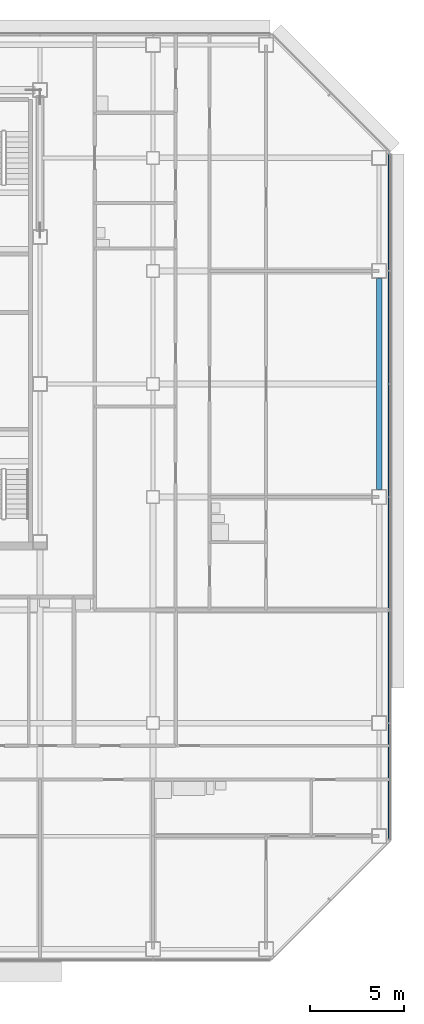
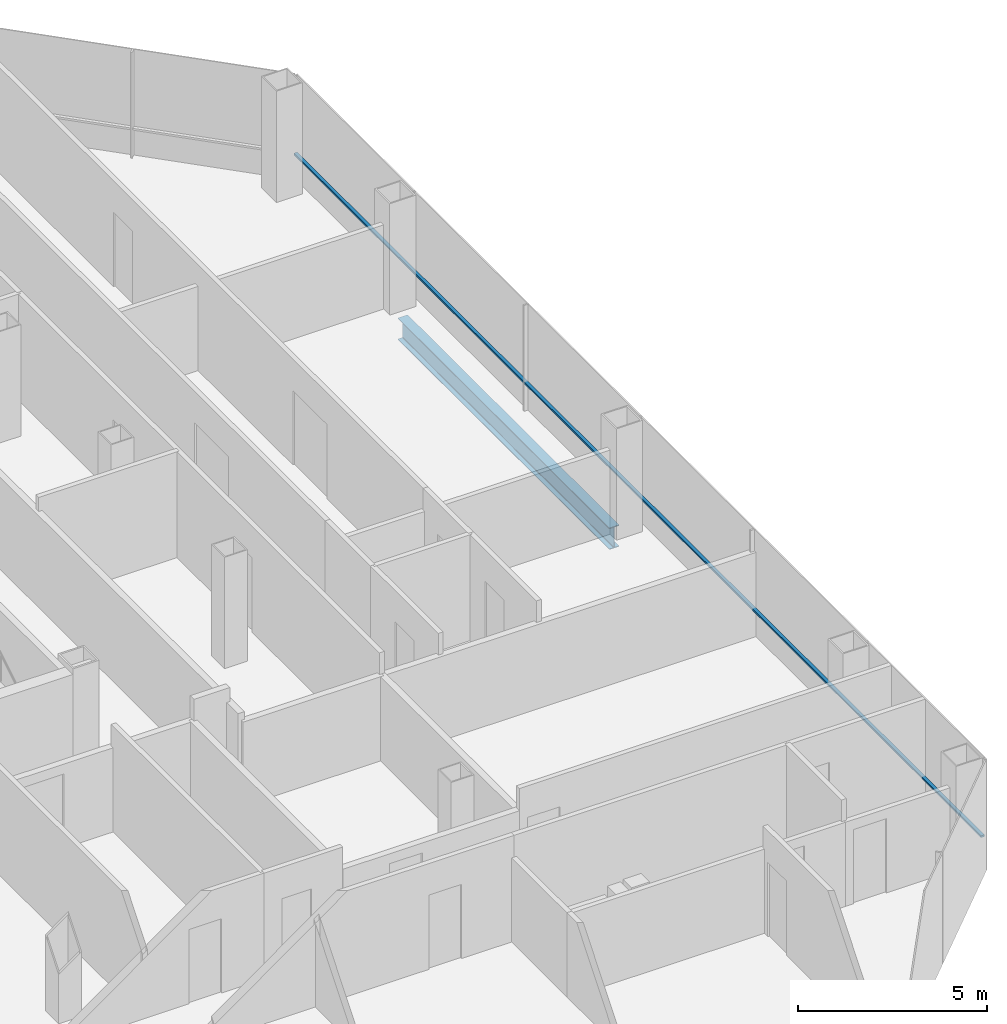
# One storey, part 16 of 25: 1 beam, 1 member, 1 element without a shape of its own.
"""IFC4 building model written with IfcOpenShell, lengths in metres."""

import ifcopenshell
import ifcopenshell.guid

model = None  # the IFC model being written
_history = None  # IfcOwnerHistory: only IFC2X3 demands one
_inside = {}  # id of a spatial element -> (the spatial element, [elements in it])
_under = {}  # id of a project, library or spatial element -> (it, [spatial elements below it])
_declared = {}  # id of a project -> (the project, [libraries it declares])
_typed = {}  # id of a type object -> (the type object, [elements of that type])
_made_of = {}  # id of a material, layer set ... -> (it, [elements and type objects made of it])


def new_model(schema):
    """Start an empty IFC model of exactly this schema.

    Asked for "IFC4X3", IfcOpenShell would pick the latest addendum, in which some entities
    have other attributes; the version numbers below select the first issue.
    IFC2X3 requires an IfcOwnerHistory on every rooted entity: one is made here for all.
    """
    global model, _history
    if schema == "IFC4X3":
        model = ifcopenshell.file(schema_version=(4, 3, 0, 0))
    else:
        model = ifcopenshell.file(schema=schema)
    _inside.clear()
    _under.clear()
    _declared.clear()
    _typed.clear()
    _made_of.clear()
    _history = None
    if model.schema == "IFC2X3":
        org = make("IfcOrganization", Name="unknown")
        user = make(
            "IfcPersonAndOrganization",
            ThePerson=make("IfcPerson", FamilyName="unknown"),
            TheOrganization=org,
        )
        app = make(
            "IfcApplication",
            ApplicationDeveloper=org,
            Version="unknown",
            ApplicationFullName="unknown",
            ApplicationIdentifier="unknown",
        )
        _history = make(
            "IfcOwnerHistory",
            OwningUser=user,
            OwningApplication=app,
            ChangeAction="ADDED",
            CreationDate=0,
        )
    return model


def make(cls, **values):
    """One entity of the class cls with the attributes given. An attribute that is None is left unset."""
    return model.create_entity(
        cls, **{name: value for name, value in values.items() if value is not None}
    )


def rooted(cls, **values):
    """An entity with a GlobalId (a new one), such as an element, a storey or a relation."""
    return make(cls, GlobalId=ifcopenshell.guid.new(), OwnerHistory=_history, **values)


def si_unit(unit_type, name, prefix=None):
    """IfcSIUnit, for example si_unit("LENGTHUNIT", "METRE", prefix="MILLI")."""
    return make("IfcSIUnit", UnitType=unit_type, Prefix=prefix, Name=name)


def assignment(units):
    """IfcUnitAssignment: the units of a project."""
    return None if units is None else make("IfcUnitAssignment", Units=units)


def point(xyz):
    """IfcCartesianPoint."""
    return None if xyz is None else make("IfcCartesianPoint", Coordinates=xyz)


def direction(xyz):
    """IfcDirection."""
    return None if xyz is None else make("IfcDirection", DirectionRatios=xyz)


def frame(location, z_axis=None, x_axis=None):
    """IfcAxis2Placement3D, a coordinate frame: its origin and axes. An axis left out is left unset."""
    return make(
        "IfcAxis2Placement3D",
        Location=point(location),
        Axis=direction(z_axis),
        RefDirection=direction(x_axis),
    )


def frame_2d(location, x_axis=None):
    """IfcAxis2Placement2D, a coordinate frame in the plane: its origin and x axis."""
    return make(
        "IfcAxis2Placement2D", Location=point(location), RefDirection=direction(x_axis)
    )


def origin():
    """The frame at (0, 0, 0) with its axes left unset."""
    return frame((0.0, 0.0, 0.0))


def origin_2d():
    """The frame at (0, 0) in the plane with its x axis left unset."""
    return frame_2d((0.0, 0.0))


def place(relative_to, where):
    """IfcLocalPlacement: puts the frame where relative to a parent placement (None: the world)."""
    return make(
        "IfcLocalPlacement", PlacementRelTo=relative_to, RelativePlacement=where
    )


def context(
    kind, dimensions, precision=None, world=None, true_north=None, identifier=None
):
    """IfcGeometricRepresentationContext, for example the 3D "Model" context."""
    return make(
        "IfcGeometricRepresentationContext",
        ContextIdentifier=identifier,
        ContextType=kind,
        CoordinateSpaceDimension=dimensions,
        Precision=precision,
        WorldCoordinateSystem=world,
        TrueNorth=true_north,
    )


def subcontext(parent, identifier, kind, view, scale=None):
    """IfcGeometricRepresentationSubContext, for example "Body" below "Model"."""
    return make(
        "IfcGeometricRepresentationSubContext",
        ContextIdentifier=identifier,
        ContextType=kind,
        ParentContext=parent,
        TargetScale=scale,
        TargetView=view,
    )


def project(units=None, contexts=None):
    """IfcProject with its units and contexts."""
    return rooted(
        "IfcProject",
        Name="project",
        RepresentationContexts=contexts,
        UnitsInContext=assignment(units),
    )


def spatial(cls, under=None, at=None, **own):
    """A site, building, storey or space (cls), placed at a placement, below another one or the project."""
    s = rooted(cls, ObjectPlacement=at, **own)
    if under is not None:
        _under.setdefault(under.id(), (under, []))[1].append(s)
    return s


def profile(cls, at=None, kind="AREA", **sizes):
    """A parametric profile (cls). Its sizes go by their IFC names, for example OverallWidth=200.0."""
    return make(cls, ProfileType=kind, Position=at, **sizes)


def rectangle(**sizes):
    """IfcRectangleProfileDef."""
    return profile("IfcRectangleProfileDef", **sizes)


def i_section(**sizes):
    """IfcIShapeProfileDef."""
    return profile("IfcIShapeProfileDef", **sizes)


def extrude(swept, where, along, depth):
    """IfcExtrudedAreaSolid: the profile swept, set in the frame where, extruded along a direction by depth."""
    return make(
        "IfcExtrudedAreaSolid",
        SweptArea=swept,
        Position=where,
        ExtrudedDirection=direction(along),
        Depth=depth,
    )


def shape(context_of_items, identifier, shape_type, items):
    """IfcShapeRepresentation: the items that make up one representation, for example the "Body"."""
    return make(
        "IfcShapeRepresentation",
        ContextOfItems=context_of_items,
        RepresentationIdentifier=identifier,
        RepresentationType=shape_type,
        Items=items,
    )


def material(Name=None, Category=None):
    """IfcMaterial."""
    return make("IfcMaterial", Name=Name, Category=Category)


def material_profile(
    of_material, cross_section, Name=None, Category=None, Priority=None
):
    """IfcMaterialProfile: a cross section and its material."""
    return make(
        "IfcMaterialProfile",
        Name=Name,
        Material=of_material,
        Profile=cross_section,
        Priority=Priority,
        Category=Category,
    )


def profile_set(profiles, Name=None, composite=None):
    """IfcMaterialProfileSet."""
    return make(
        "IfcMaterialProfileSet",
        Name=Name,
        MaterialProfiles=profiles,
        CompositeProfile=composite,
    )


def made_of(thing, what):
    """Note that an element or type object is made of a material, layer set ...; save() writes the relation."""
    if what is not None:
        _made_of.setdefault(what.id(), (what, []))[1].append(thing)
    return thing


def type_object(cls, material=None, **own):
    """A type object (cls), such as IfcWallType, which elements share."""
    return made_of(rooted(cls, **own), material)


def element(
    cls,
    number,
    at=None,
    inside=None,
    cuts=None,
    type_object=None,
    material=None,
    context=None,
    identifier="Body",
    shape_type=None,
    held_by="IfcProductDefinitionShape",
    body=None,
    shapes=None,
    **own,
):
    """One element of the class cls, such as IfcWall. Its Tag is "e" and its number.

    at: its placement. inside: the storey or other place that contains it. cuts: it is an
    opening in that element (IfcRelVoidsElement). A single representation is given by context,
    identifier, shape_type and body (its items); several are given by shapes. held_by: the class
    of the entity that holds the representations. save() writes the other relations.
    """
    e = rooted(cls, Tag="e%d" % number, ObjectPlacement=at, **own)
    if body is not None:
        shapes = [shape(context, identifier, shape_type, body)]
    if shapes is not None:
        e.Representation = make(held_by, Representations=shapes)
    if inside is not None:
        _inside.setdefault(inside.id(), (inside, []))[1].append(e)
    if cuts is not None:
        rooted(
            "IfcRelVoidsElement", RelatingBuildingElement=cuts, RelatedOpeningElement=e
        )
    if type_object is not None:
        _typed.setdefault(type_object.id(), (type_object, []))[1].append(e)
    return made_of(e, material)


def aggregate(whole, parts):
    """IfcRelAggregates: a whole, such as a stair, and the parts it consists of."""
    return rooted("IfcRelAggregates", RelatingObject=whole, RelatedObjects=parts)


def save(model, path):
    """Write the relations noted so far, then the file.

    IfcRelAggregates (storeys below a building ...), IfcRelContainedInSpatialStructure (elements
    in a storey), IfcRelDefinesByType, IfcRelAssociatesMaterial and IfcRelDeclares: one each for
    every whole, place, type object, material and project.
    """
    for whole, parts in _under.values():
        aggregate(whole, parts)
    for where, things in _inside.values():
        rooted(
            "IfcRelContainedInSpatialStructure",
            RelatedElements=things,
            RelatingStructure=where,
        )
    for kind, things in _typed.values():
        rooted("IfcRelDefinesByType", RelatedObjects=things, RelatingType=kind)
    for what, things in _made_of.values():
        rooted("IfcRelAssociatesMaterial", RelatedObjects=things, RelatingMaterial=what)
    for by, libraries in _declared.values():
        rooted("IfcRelDeclares", RelatingContext=by, RelatedDefinitions=libraries)
    model.write(path)


model = new_model("IFC4")

# Units and contexts
model_context = context("Model", 3, precision=1e-05, world=origin(), true_north=direction((0.0, 1.0)))
body_context = subcontext(model_context, "Body", "Model", "MODEL_VIEW")
ifc_project = project(units=[si_unit("LENGTHUNIT", "METRE"), si_unit("AREAUNIT", "SQUARE_METRE"), si_unit("VOLUMEUNIT", "CUBIC_METRE"), si_unit("PLANEANGLEUNIT", "RADIAN"), si_unit("MASSUNIT", "GRAM", prefix="KILO")], contexts=[model_context])

# Site, building, storey
site_placement = place(None, origin())
site = spatial("IfcSite", under=ifc_project, at=site_placement, CompositionType="ELEMENT")
building_placement = place(site_placement, origin())
building = spatial("IfcBuilding", under=site, at=building_placement, Name="Sorahane Residences", CompositionType="ELEMENT")
storey_placement = place(building_placement, frame((0.0, 0.0, 130.39990234375)))
storey = spatial("IfcBuildingStorey", under=building, at=storey_placement, Name="L29", CompositionType="ELEMENT", Elevation=130.39990234375)

# Curtain wall, member
ifc_material_1 = material(Name="Dark low-e glass and black anodised aluminium", Category="aluminium")
curtain_wall_type = type_object("IfcCurtainWallType", Name="Curtain wall CW-1 Typical unitised wall", PredefinedType="NOTDEFINED", material=ifc_material_1)
curtain_wall_placement = place(storey_placement, origin())
curtain_wall = element("IfcCurtainWall", 1, at=curtain_wall_placement, inside=storey, type_object=curtain_wall_type, Name="CW-1 curtain wall L29 E1", PredefinedType="NOTDEFINED")
ifc_material_2 = material(Name="Black anodised aluminium", Category="aluminium")
ifc_material_profile_1 = material_profile(ifc_material_2, rectangle(XDim=0.10009765625, YDim=0.06005859375, at=origin_2d()), Name="Curtain wall transom CW-1 black anodised aluminium 60x100")
ifc_profile_set_1 = profile_set([ifc_material_profile_1], Name="Black anodised aluminium")
member_type = type_object("IfcMemberType", Name="Curtain wall transom CW-1 black anodised aluminium 60x100", PredefinedType="USERDEFINED", material=ifc_profile_set_1)
member_placement = place(storey_placement, frame((60.530029296875, 5.801513671875, 0.900146484375), z_axis=(0.0, 1.0, 0.0), x_axis=(-1.0, 0.0, 0.0)))
member = element("IfcMember", 2, at=member_placement, type_object=member_type, Name="CW-1 transom L29 E1", ObjectType="TRANSOM", PredefinedType="USERDEFINED", context=body_context, shape_type="SweptSolid", body=[
    extrude(rectangle(XDim=0.10009765625, YDim=0.06005859375, at=origin_2d()), origin(), (0.0, 0.0, 1.0), 36.39697265625),
])
aggregate(curtain_wall, [member])

# Beam
ifc_material_3 = material(Name="Steel Q355B", Category="steel")
ifc_material_profile_2 = material_profile(ifc_material_3, i_section(OverallWidth=0.300048828125, OverallDepth=0.699951171875, WebThickness=0.012939453125, FlangeThickness=0.02392578125, FilletRadius=0.028076171875, at=origin_2d()), Name="HN 700x300x13x24")
ifc_profile_set_2 = profile_set([ifc_material_profile_2], Name="Steel Q355B")
beam_type = type_object("IfcBeamType", Name="Steel floor beam HN 700x300x13x24 Q355B", PredefinedType="BEAM", material=ifc_profile_set_2)
beam_placement = place(storey_placement, frame((60.0, 24.39990234375, -0.52978515625), z_axis=(0.0, 1.0, 0.0), x_axis=(-1.0, 0.0, 0.0)))
element("IfcBeam", 3, at=beam_placement, inside=storey, type_object=beam_type, Name="Beam L29 066", PredefinedType="BEAM", context=body_context, shape_type="SweptSolid", body=[
    extrude(i_section(OverallWidth=0.300048828125, OverallDepth=0.699951171875, WebThickness=0.012939453125, FlangeThickness=0.02392578125, FilletRadius=0.028076171875, at=origin_2d()), origin(), (0.0, 0.0, 1.0), 11.2001953125),
])

save(model, "model.ifc")
